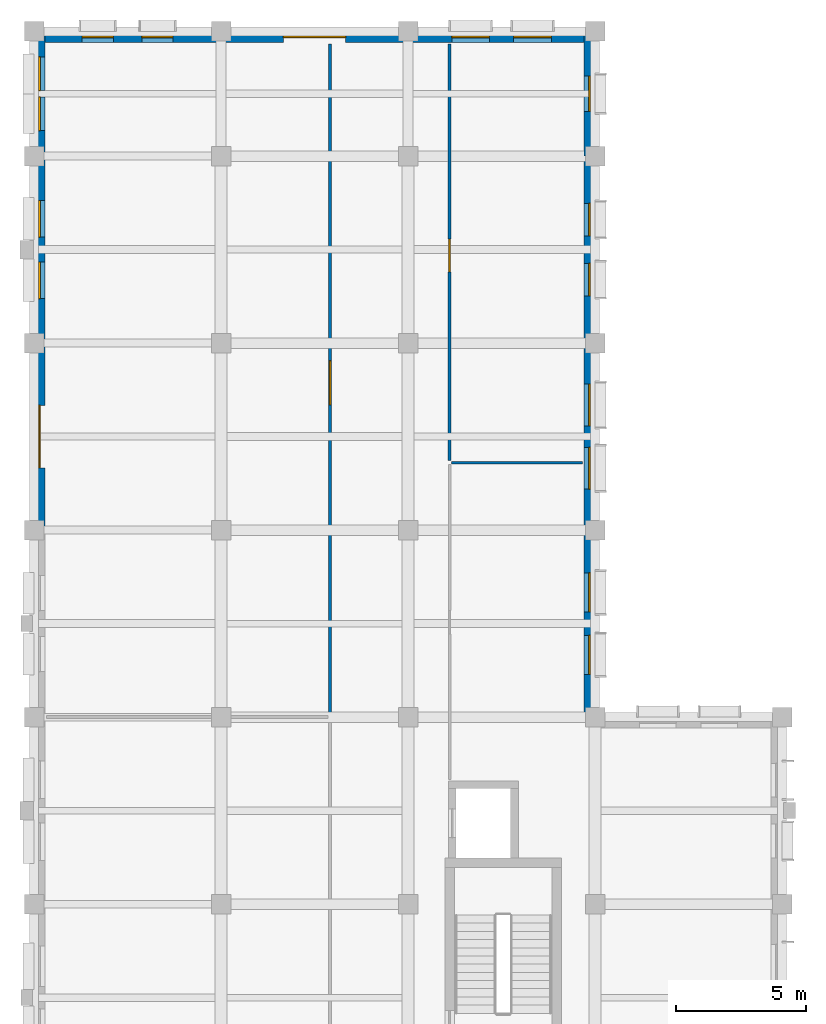
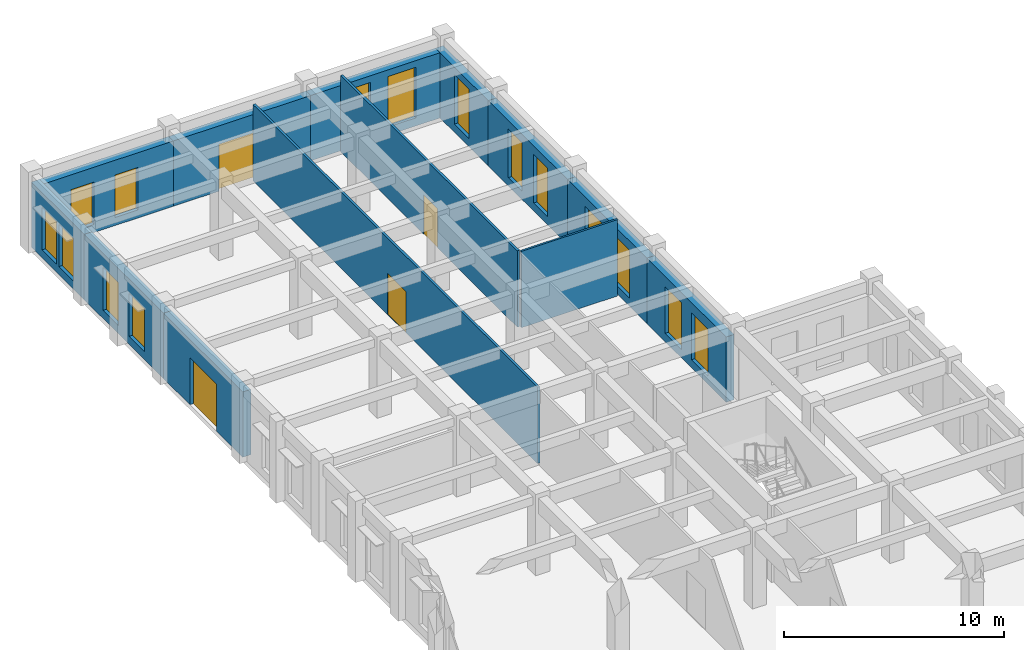
# One storey, part 29 of 43: 15 windows, 13 walls, 4 doors, 19 openings.
"""IFC4 building model written with IfcOpenShell, lengths in metres."""

from ifc_helpers import new_model, si_unit, direction, frame, frame_2d, origin, place, context, subcontext, project, spatial, rectangle, extrude, material, layer, layer_set, type_object, element, fill, save


model = new_model("IFC4")

# Units and contexts
model_context = context("Model", 3, precision=1e-05, world=origin(), true_north=direction((0.0, 1.0)))
body_context = subcontext(model_context, "Body", "Model", "MODEL_VIEW")
ifc_project = project(units=[si_unit("LENGTHUNIT", "METRE"), si_unit("AREAUNIT", "SQUARE_METRE"), si_unit("VOLUMEUNIT", "CUBIC_METRE"), si_unit("PLANEANGLEUNIT", "RADIAN"), si_unit("MASSUNIT", "GRAM", prefix="KILO")], contexts=[model_context])

# Site, building, storey
site_placement = place(None, origin())
site = spatial("IfcSite", under=ifc_project, at=site_placement, CompositionType="ELEMENT")
building_placement = place(site_placement, origin())
building = spatial("IfcBuilding", under=site, at=building_placement, Name="Alvorim Cloister Faculty of Sciences", CompositionType="ELEMENT")
storey_placement = place(building_placement, origin())
storey = spatial("IfcBuildingStorey", under=building, at=storey_placement, Name="L00", CompositionType="ELEMENT", Elevation=0.0)

# Wall, opening, door
ifc_material_1 = material(Name="Maua Grey Granite Stone", Category="masonry")
ifc_layer_1 = layer(ifc_material_1, 0.419921875)
ifc_layer_set_1 = layer_set([ifc_layer_1], Name="Maua Grey Granite Stone")
wall_type_1 = type_object("IfcWallType", Name="WL-EXT-GRN-420", PredefinedType="SOLIDWALL", material=ifc_layer_set_1)
wall_1_placement = place(storey_placement, frame((0.2099609375, 92.39990234375, 0.0), z_axis=(0.0, 0.0, 1.0), x_axis=(0.0, 1.0, 0.0)))
wall_1 = element("IfcWall", 1, at=wall_1_placement, inside=storey, type_object=wall_type_1, Name="L00 Exterior Wall WL-0041", PredefinedType="SOLIDWALL", context=body_context, shape_type="SweptSolid", body=[
    extrude(rectangle(XDim=7.2001953125, YDim=0.419921875, at=frame_2d((3.60009765625, 0.0))), origin(), (0.0, 0.0, 1.0), 3.6201171875),
])
opening_1_placement = place(wall_1_placement, frame((2.39990234375, 0.0, 0.0)))
opening_1 = element("IfcOpeningElement", 2, at=opening_1_placement, cuts=wall_1, Name="Opening ED-12", PredefinedType="OPENING", context=body_context, shape_type="SweptSolid", body=[
    extrude(rectangle(XDim=2.39990234375, YDim=2.60009765625, at=frame_2d((1.199951171875, 1.300048828125))), frame((0.0, 0.221923828125, 0.0), z_axis=(0.0, -1.0, 0.0), x_axis=(1.0, 0.0, 0.0)), (0.0, 0.0, 1.0), 0.44384765625),
])
ifc_material_2 = material(Name="Aluminium Alloy 6063-T6", Category="aluminium")
door_type_1 = type_object("IfcDoorType", Name="DR-EXIT-2400x2600", OperationType="NOTDEFINED", PredefinedType="DOOR", material=ifc_material_2)
door_1_placement = place(opening_1_placement, origin())
door_1 = element("IfcDoor", 3, at=door_1_placement, inside=storey, type_object=door_type_1, Name="Learning Commons North-West Exit ED-12", OperationType="DOUBLE_DOOR_SINGLE_SWING", OverallHeight=2.60009765625, OverallWidth=2.39990234375, PredefinedType="DOOR", context=body_context, shape_type="SweptSolid", body=[
    extrude(rectangle(XDim=2.39990234375, YDim=2.60009765625, at=frame_2d((1.199951171875, 1.300048828125))), frame((0.0, 0.02490234375, 0.0), z_axis=(0.0, -1.0, 0.0), x_axis=(1.0, 0.0, 0.0)), (0.0, 0.0, 1.0), 0.050048828125),
])
fill(opening_1, door_1)

# Wall, openings, windows
wall_2_placement = place(storey_placement, frame((0.2099609375, 99.60009765625, 0.0), z_axis=(0.0, 0.0, 1.0), x_axis=(0.0, 1.0, 0.0)))
wall_2 = element("IfcWall", 4, at=wall_2_placement, inside=storey, type_object=wall_type_1, Name="L00 Exterior Wall WL-0042", PredefinedType="SOLIDWALL", context=body_context, shape_type="SweptSolid", body=[
    extrude(rectangle(XDim=7.199951171875, YDim=0.419921875, at=frame_2d((3.60009765625, 0.0))), origin(), (0.0, 0.0, 1.0), 3.6201171875),
])
opening_2_placement = place(wall_2_placement, frame((1.716796875, 0.0, 0.449951171875)))
opening_2 = element("IfcOpeningElement", 5, at=opening_2_placement, cuts=wall_2, Name="Opening W-20", PredefinedType="OPENING", context=body_context, shape_type="SweptSolid", body=[
    extrude(rectangle(XDim=1.39990234375, YDim=2.3798828125, at=frame_2d((0.699951171875, 1.18994140625))), frame((0.0, 0.221923828125, 0.0), z_axis=(0.0, -1.0, 0.0), x_axis=(1.0, 0.0, 0.0)), (0.0, 0.0, 1.0), 0.44384765625),
])
opening_3_placement = place(wall_2_placement, frame((4.083251953125, 0.0, 0.449951171875)))
opening_3 = element("IfcOpeningElement", 6, at=opening_3_placement, cuts=wall_2, Name="Opening W-20", PredefinedType="OPENING", context=body_context, shape_type="SweptSolid", body=[
    extrude(rectangle(XDim=1.39990234375, YDim=2.3798828125, at=frame_2d((0.699951171875, 1.18994140625))), frame((0.0, 0.221923828125, 0.0), z_axis=(0.0, -1.0, 0.0), x_axis=(1.0, 0.0, 0.0)), (0.0, 0.0, 1.0), 0.44384765625),
])
ifc_material_3 = material(Name="Double Low-E Laminated Glass", Category="glass")
window_type_1 = type_object("IfcWindowType", Name="WN-OFF-1400x2380", PartitioningType="SINGLE_PANEL", PredefinedType="WINDOW", material=ifc_material_3)
window_1_placement = place(opening_2_placement, origin())
window_1 = element("IfcWindow", 7, at=window_1_placement, inside=storey, type_object=window_type_1, Name="L00 Gothic Lancet Window WN-0034", OverallHeight=2.3798828125, OverallWidth=1.39990234375, PartitioningType="SINGLE_PANEL", PredefinedType="WINDOW", context=body_context, shape_type="SweptSolid", body=[
    extrude(rectangle(XDim=1.39990234375, YDim=2.3798828125, at=frame_2d((0.699951171875, 1.18994140625))), frame((0.0, 0.030029296875, 0.0), z_axis=(0.0, -1.0, 0.0), x_axis=(1.0, 0.0, 0.0)), (0.0, 0.0, 1.0), 0.06005859375),
])
fill(opening_2, window_1)
window_2_placement = place(opening_3_placement, origin())
window_2 = element("IfcWindow", 8, at=window_2_placement, inside=storey, type_object=window_type_1, Name="L00 Gothic Lancet Window WN-0035", OverallHeight=2.3798828125, OverallWidth=1.39990234375, PartitioningType="SINGLE_PANEL", PredefinedType="WINDOW", context=body_context, shape_type="SweptSolid", body=[
    extrude(rectangle(XDim=1.39990234375, YDim=2.3798828125, at=frame_2d((0.699951171875, 1.18994140625))), frame((0.0, 0.030029296875, 0.0), z_axis=(0.0, -1.0, 0.0), x_axis=(1.0, 0.0, 0.0)), (0.0, 0.0, 1.0), 0.06005859375),
])
fill(opening_3, window_2)

wall_3_placement = place(storey_placement, frame((0.2099609375, 106.800048828125, 0.0), z_axis=(0.0, 0.0, 1.0), x_axis=(0.0, 1.0, 0.0)))
wall_3 = element("IfcWall", 9, at=wall_3_placement, inside=storey, type_object=wall_type_1, Name="L00 Exterior Wall WL-0043", PredefinedType="SOLIDWALL", context=body_context, shape_type="SweptSolid", body=[
    extrude(rectangle(XDim=4.800048828125, YDim=0.419921875, at=frame_2d((2.39990234375, 0.0))), origin(), (0.0, 0.0, 1.0), 3.6201171875),
])
opening_4_placement = place(wall_3_placement, frame((0.9833984375, 0.0, 0.449951171875)))
opening_4 = element("IfcOpeningElement", 10, at=opening_4_placement, cuts=wall_3, Name="Opening W-21", PredefinedType="OPENING", context=body_context, shape_type="SweptSolid", body=[
    extrude(rectangle(XDim=1.300048828125, YDim=2.35009765625, at=frame_2d((0.64990234375, 1.175048828125))), frame((0.0, 0.221923828125, 0.0), z_axis=(0.0, -1.0, 0.0), x_axis=(1.0, 0.0, 0.0)), (0.0, 0.0, 1.0), 0.44384765625),
])
opening_5_placement = place(wall_3_placement, frame((2.5166015625, 0.0, 0.449951171875)))
opening_5 = element("IfcOpeningElement", 11, at=opening_5_placement, cuts=wall_3, Name="Opening W-21", PredefinedType="OPENING", context=body_context, shape_type="SweptSolid", body=[
    extrude(rectangle(XDim=1.300048828125, YDim=2.35009765625, at=frame_2d((0.64990234375, 1.175048828125))), frame((0.0, 0.221923828125, 0.0), z_axis=(0.0, -1.0, 0.0), x_axis=(1.0, 0.0, 0.0)), (0.0, 0.0, 1.0), 0.44384765625),
])
window_type_2 = type_object("IfcWindowType", Name="WN-OFF-1300x2350", PartitioningType="SINGLE_PANEL", PredefinedType="WINDOW", material=ifc_material_3)
window_3_placement = place(opening_4_placement, origin())
window_3 = element("IfcWindow", 12, at=window_3_placement, inside=storey, type_object=window_type_2, Name="L00 Gothic Lancet Window WN-0036", OverallHeight=2.35009765625, OverallWidth=1.300048828125, PartitioningType="SINGLE_PANEL", PredefinedType="WINDOW", context=body_context, shape_type="SweptSolid", body=[
    extrude(rectangle(XDim=1.300048828125, YDim=2.35009765625, at=frame_2d((0.64990234375, 1.175048828125))), frame((0.0, 0.030029296875, 0.0), z_axis=(0.0, -1.0, 0.0), x_axis=(1.0, 0.0, 0.0)), (0.0, 0.0, 1.0), 0.06005859375),
])
fill(opening_4, window_3)
window_4_placement = place(opening_5_placement, origin())
window_4 = element("IfcWindow", 13, at=window_4_placement, inside=storey, type_object=window_type_2, Name="L00 Gothic Lancet Window WN-0037", OverallHeight=2.35009765625, OverallWidth=1.300048828125, PartitioningType="SINGLE_PANEL", PredefinedType="WINDOW", context=body_context, shape_type="SweptSolid", body=[
    extrude(rectangle(XDim=1.300048828125, YDim=2.35009765625, at=frame_2d((0.64990234375, 1.175048828125))), frame((0.0, 0.030029296875, 0.0), z_axis=(0.0, -1.0, 0.0), x_axis=(1.0, 0.0, 0.0)), (0.0, 0.0, 1.0), 0.06005859375),
])
fill(opening_5, window_4)

wall_4_placement = place(storey_placement, frame((0.0, 111.389892578125, 0.0), z_axis=(0.0, 0.0, 1.0), x_axis=(1.0, 0.0, 0.0)))
wall_4 = element("IfcWall", 14, at=wall_4_placement, inside=storey, type_object=wall_type_1, Name="L00 Exterior Wall WL-0044", PredefinedType="SOLIDWALL", context=body_context, shape_type="SweptSolid", body=[
    extrude(rectangle(XDim=7.199951171875, YDim=0.419921875, at=frame_2d((3.60009765625, 0.0))), origin(), (0.0, 0.0, 1.0), 3.6201171875),
])
opening_6_placement = place(wall_4_placement, frame((1.85009765625, 0.0, 0.449951171875)))
opening_6 = element("IfcOpeningElement", 15, at=opening_6_placement, cuts=wall_4, Name="Opening W-22", PredefinedType="OPENING", context=body_context, shape_type="SweptSolid", body=[
    extrude(rectangle(XDim=1.199951171875, YDim=2.35009765625, at=frame_2d((0.60009765625, 1.175048828125))), frame((0.0, 0.221923828125, 0.0), z_axis=(0.0, -1.0, 0.0), x_axis=(1.0, 0.0, 0.0)), (0.0, 0.0, 1.0), 0.44384765625),
])
opening_7_placement = place(wall_4_placement, frame((4.14990234375, 0.0, 0.449951171875)))
opening_7 = element("IfcOpeningElement", 16, at=opening_7_placement, cuts=wall_4, Name="Opening W-22", PredefinedType="OPENING", context=body_context, shape_type="SweptSolid", body=[
    extrude(rectangle(XDim=1.199951171875, YDim=2.35009765625, at=frame_2d((0.60009765625, 1.175048828125))), frame((0.0, 0.221923828125, 0.0), z_axis=(0.0, -1.0, 0.0), x_axis=(1.0, 0.0, 0.0)), (0.0, 0.0, 1.0), 0.44384765625),
])
window_type_3 = type_object("IfcWindowType", Name="WN-OFF-1200x2350", PartitioningType="SINGLE_PANEL", PredefinedType="WINDOW", material=ifc_material_3)
window_5_placement = place(opening_6_placement, origin())
window_5 = element("IfcWindow", 17, at=window_5_placement, inside=storey, type_object=window_type_3, Name="L00 Gothic Lancet Window WN-0038", OverallHeight=2.35009765625, OverallWidth=1.199951171875, PartitioningType="SINGLE_PANEL", PredefinedType="WINDOW", context=body_context, shape_type="SweptSolid", body=[
    extrude(rectangle(XDim=1.199951171875, YDim=2.35009765625, at=frame_2d((0.60009765625, 1.175048828125))), frame((0.0, 0.030029296875, 0.0), z_axis=(0.0, -1.0, 0.0), x_axis=(1.0, 0.0, 0.0)), (0.0, 0.0, 1.0), 0.06005859375),
])
fill(opening_6, window_5)
window_6_placement = place(opening_7_placement, origin())
window_6 = element("IfcWindow", 18, at=window_6_placement, inside=storey, type_object=window_type_3, Name="L00 Gothic Lancet Window WN-0039", OverallHeight=2.35009765625, OverallWidth=1.199951171875, PartitioningType="SINGLE_PANEL", PredefinedType="WINDOW", context=body_context, shape_type="SweptSolid", body=[
    extrude(rectangle(XDim=1.199951171875, YDim=2.35009765625, at=frame_2d((0.60009765625, 1.175048828125))), frame((0.0, 0.030029296875, 0.0), z_axis=(0.0, -1.0, 0.0), x_axis=(1.0, 0.0, 0.0)), (0.0, 0.0, 1.0), 0.06005859375),
])
fill(opening_7, window_6)

# Wall, opening, door
wall_5_placement = place(storey_placement, frame((7.199951171875, 111.389892578125, 0.0), z_axis=(0.0, 0.0, 1.0), x_axis=(1.0, 0.0, 0.0)))
wall_5 = element("IfcWall", 19, at=wall_5_placement, inside=storey, type_object=wall_type_1, Name="L00 Exterior Wall WL-0045", PredefinedType="SOLIDWALL", context=body_context, shape_type="SweptSolid", body=[
    extrude(rectangle(XDim=7.199951171875, YDim=0.419921875, at=frame_2d((3.60009765625, 0.0))), origin(), (0.0, 0.0, 1.0), 3.6201171875),
])
opening_8_placement = place(wall_5_placement, frame((2.39990234375, 0.0, 0.0)))
opening_8 = element("IfcOpeningElement", 20, at=opening_8_placement, cuts=wall_5, Name="Opening SG-05", PredefinedType="OPENING", context=body_context, shape_type="SweptSolid", body=[
    extrude(rectangle(XDim=2.39990234375, YDim=2.60009765625, at=frame_2d((1.199951171875, 1.300048828125))), frame((0.0, 0.221923828125, 0.0), z_axis=(0.0, -1.0, 0.0), x_axis=(1.0, 0.0, 0.0)), (0.0, 0.0, 1.0), 0.44384765625),
])
ifc_material_4 = material(Name="Galvanised Steel Sheet", Category="steel")
door_type_2 = type_object("IfcDoorType", Name="DR-GATE-2400x2600", OperationType="NOTDEFINED", PredefinedType="GATE", material=ifc_material_4)
door_2_placement = place(opening_8_placement, origin())
door_2 = element("IfcDoor", 21, at=door_2_placement, inside=storey, type_object=door_type_2, Name="North Botanical Court Gate SG-05", OperationType="DOUBLE_DOOR_SINGLE_SWING", OverallHeight=2.60009765625, OverallWidth=2.39990234375, PredefinedType="GATE", context=body_context, shape_type="SweptSolid", body=[
    extrude(rectangle(XDim=2.39990234375, YDim=2.60009765625, at=frame_2d((1.199951171875, 1.300048828125))), frame((0.0, 0.02490234375, 0.0), z_axis=(0.0, -1.0, 0.0), x_axis=(1.0, 0.0, 0.0)), (0.0, 0.0, 1.0), 0.050048828125),
])
fill(opening_8, door_2)

# Wall, openings, windows
wall_6_placement = place(storey_placement, frame((14.39990234375, 111.389892578125, 0.0), z_axis=(0.0, 0.0, 1.0), x_axis=(1.0, 0.0, 0.0)))
wall_6 = element("IfcWall", 22, at=wall_6_placement, inside=storey, type_object=wall_type_1, Name="L00 Exterior Wall WL-0046", PredefinedType="SOLIDWALL", context=body_context, shape_type="SweptSolid", body=[
    extrude(rectangle(XDim=7.2001953125, YDim=0.419921875, at=frame_2d((3.60009765625, 0.0))), origin(), (0.0, 0.0, 1.0), 3.6201171875),
])
opening_9_placement = place(wall_6_placement, frame((1.683349609375, 0.0, 0.449951171875)))
opening_9 = element("IfcOpeningElement", 23, at=opening_9_placement, cuts=wall_6, Name="Opening W-08", PredefinedType="OPENING", context=body_context, shape_type="SweptSolid", body=[
    extrude(rectangle(XDim=1.449951171875, YDim=2.800048828125, at=frame_2d((0.72509765625, 1.39990234375))), frame((0.0, 0.221923828125, 0.0), z_axis=(0.0, -1.0, 0.0), x_axis=(1.0, 0.0, 0.0)), (0.0, 0.0, 1.0), 0.44384765625),
])
opening_10_placement = place(wall_6_placement, frame((4.066650390625, 0.0, 0.449951171875)))
opening_10 = element("IfcOpeningElement", 24, at=opening_10_placement, cuts=wall_6, Name="Opening W-08", PredefinedType="OPENING", context=body_context, shape_type="SweptSolid", body=[
    extrude(rectangle(XDim=1.449951171875, YDim=2.800048828125, at=frame_2d((0.72509765625, 1.39990234375))), frame((0.0, 0.221923828125, 0.0), z_axis=(0.0, -1.0, 0.0), x_axis=(1.0, 0.0, 0.0)), (0.0, 0.0, 1.0), 0.44384765625),
])
window_type_4 = type_object("IfcWindowType", Name="WN-LAN-1450x2800", PartitioningType="SINGLE_PANEL", PredefinedType="WINDOW", material=ifc_material_3)
window_7_placement = place(opening_9_placement, origin())
window_7 = element("IfcWindow", 25, at=window_7_placement, inside=storey, type_object=window_type_4, Name="L00 Gothic Lancet Window WN-0040", OverallHeight=2.800048828125, OverallWidth=1.449951171875, PartitioningType="SINGLE_PANEL", PredefinedType="WINDOW", context=body_context, shape_type="SweptSolid", body=[
    extrude(rectangle(XDim=1.449951171875, YDim=2.800048828125, at=frame_2d((0.72509765625, 1.39990234375))), frame((0.0, 0.030029296875, 0.0), z_axis=(0.0, -1.0, 0.0), x_axis=(1.0, 0.0, 0.0)), (0.0, 0.0, 1.0), 0.06005859375),
])
fill(opening_9, window_7)
window_8_placement = place(opening_10_placement, origin())
window_8 = element("IfcWindow", 26, at=window_8_placement, inside=storey, type_object=window_type_4, Name="L00 Gothic Lancet Window WN-0041", OverallHeight=2.800048828125, OverallWidth=1.449951171875, PartitioningType="SINGLE_PANEL", PredefinedType="WINDOW", context=body_context, shape_type="SweptSolid", body=[
    extrude(rectangle(XDim=1.449951171875, YDim=2.800048828125, at=frame_2d((0.72509765625, 1.39990234375))), frame((0.0, 0.030029296875, 0.0), z_axis=(0.0, -1.0, 0.0), x_axis=(1.0, 0.0, 0.0)), (0.0, 0.0, 1.0), 0.06005859375),
])
fill(opening_10, window_8)

# Wall, opening, window
wall_7_placement = place(storey_placement, frame((21.389892578125, 106.800048828125, 0.0), z_axis=(0.0, 0.0, 1.0), x_axis=(0.0, 1.0, 0.0)))
wall_7 = element("IfcWall", 27, at=wall_7_placement, inside=storey, type_object=wall_type_1, Name="L00 Exterior Wall WL-0047", PredefinedType="SOLIDWALL", context=body_context, shape_type="SweptSolid", body=[
    extrude(rectangle(XDim=4.800048828125, YDim=0.419921875, at=frame_2d((2.39990234375, 0.0))), origin(), (0.0, 0.0, 1.0), 3.6201171875),
])
opening_11_placement = place(wall_7_placement, frame((1.72509765625, 0.0, 0.449951171875)))
opening_11 = element("IfcOpeningElement", 28, at=opening_11_placement, cuts=wall_7, Name="Opening W-09", PredefinedType="OPENING", context=body_context, shape_type="SweptSolid", body=[
    extrude(rectangle(XDim=1.35009765625, YDim=2.75, at=frame_2d((0.675048828125, 1.375))), frame((0.0, 0.221923828125, 0.0), z_axis=(0.0, -1.0, 0.0), x_axis=(1.0, 0.0, 0.0)), (0.0, 0.0, 1.0), 0.44384765625),
])
window_type_5 = type_object("IfcWindowType", Name="WN-LAN-1350x2750", PartitioningType="SINGLE_PANEL", PredefinedType="WINDOW", material=ifc_material_3)
window_9_placement = place(opening_11_placement, origin())
window_9 = element("IfcWindow", 29, at=window_9_placement, inside=storey, type_object=window_type_5, Name="L00 Gothic Lancet Window WN-0042", OverallHeight=2.75, OverallWidth=1.35009765625, PartitioningType="SINGLE_PANEL", PredefinedType="WINDOW", context=body_context, shape_type="SweptSolid", body=[
    extrude(rectangle(XDim=1.35009765625, YDim=2.75, at=frame_2d((0.675048828125, 1.375))), frame((0.0, 0.030029296875, 0.0), z_axis=(0.0, -1.0, 0.0), x_axis=(1.0, 0.0, 0.0)), (0.0, 0.0, 1.0), 0.06005859375),
])
fill(opening_11, window_9)

# Wall, openings, windows
wall_8_placement = place(storey_placement, frame((21.389892578125, 99.60009765625, 0.0), z_axis=(0.0, 0.0, 1.0), x_axis=(0.0, 1.0, 0.0)))
wall_8 = element("IfcWall", 30, at=wall_8_placement, inside=storey, type_object=wall_type_1, Name="L00 Exterior Wall WL-0048", PredefinedType="SOLIDWALL", context=body_context, shape_type="SweptSolid", body=[
    extrude(rectangle(XDim=7.199951171875, YDim=0.419921875, at=frame_2d((3.60009765625, 0.0))), origin(), (0.0, 0.0, 1.0), 3.6201171875),
])
opening_12_placement = place(wall_8_placement, frame((1.816650390625, 0.0, 0.449951171875)))
opening_12 = element("IfcOpeningElement", 31, at=opening_12_placement, cuts=wall_8, Name="Opening W-10", PredefinedType="OPENING", context=body_context, shape_type="SweptSolid", body=[
    extrude(rectangle(XDim=1.25, YDim=2.699951171875, at=frame_2d((0.625, 1.35009765625))), frame((0.0, 0.221923828125, 0.0), z_axis=(0.0, -1.0, 0.0), x_axis=(1.0, 0.0, 0.0)), (0.0, 0.0, 1.0), 0.44384765625),
])
opening_13_placement = place(wall_8_placement, frame((4.13330078125, 0.0, 0.449951171875)))
opening_13 = element("IfcOpeningElement", 32, at=opening_13_placement, cuts=wall_8, Name="Opening W-10", PredefinedType="OPENING", context=body_context, shape_type="SweptSolid", body=[
    extrude(rectangle(XDim=1.25, YDim=2.699951171875, at=frame_2d((0.625, 1.35009765625))), frame((0.0, 0.221923828125, 0.0), z_axis=(0.0, -1.0, 0.0), x_axis=(1.0, 0.0, 0.0)), (0.0, 0.0, 1.0), 0.44384765625),
])
window_type_6 = type_object("IfcWindowType", Name="WN-LAN-1250x2700", PartitioningType="SINGLE_PANEL", PredefinedType="WINDOW", material=ifc_material_3)
window_10_placement = place(opening_12_placement, origin())
window_10 = element("IfcWindow", 33, at=window_10_placement, inside=storey, type_object=window_type_6, Name="L00 Gothic Lancet Window WN-0043", OverallHeight=2.699951171875, OverallWidth=1.25, PartitioningType="SINGLE_PANEL", PredefinedType="WINDOW", context=body_context, shape_type="SweptSolid", body=[
    extrude(rectangle(XDim=1.25, YDim=2.699951171875, at=frame_2d((0.625, 1.35009765625))), frame((0.0, 0.030029296875, 0.0), z_axis=(0.0, -1.0, 0.0), x_axis=(1.0, 0.0, 0.0)), (0.0, 0.0, 1.0), 0.06005859375),
])
fill(opening_12, window_10)
window_11_placement = place(opening_13_placement, origin())
window_11 = element("IfcWindow", 34, at=window_11_placement, inside=storey, type_object=window_type_6, Name="L00 Gothic Lancet Window WN-0044", OverallHeight=2.699951171875, OverallWidth=1.25, PartitioningType="SINGLE_PANEL", PredefinedType="WINDOW", context=body_context, shape_type="SweptSolid", body=[
    extrude(rectangle(XDim=1.25, YDim=2.699951171875, at=frame_2d((0.625, 1.35009765625))), frame((0.0, 0.030029296875, 0.0), z_axis=(0.0, -1.0, 0.0), x_axis=(1.0, 0.0, 0.0)), (0.0, 0.0, 1.0), 0.06005859375),
])
fill(opening_13, window_11)

wall_9_placement = place(storey_placement, frame((21.389892578125, 92.39990234375, 0.0), z_axis=(0.0, 0.0, 1.0), x_axis=(0.0, 1.0, 0.0)))
wall_9 = element("IfcWall", 35, at=wall_9_placement, inside=storey, type_object=wall_type_1, Name="L00 Exterior Wall WL-0049", PredefinedType="SOLIDWALL", context=body_context, shape_type="SweptSolid", body=[
    extrude(rectangle(XDim=7.2001953125, YDim=0.419921875, at=frame_2d((3.60009765625, 0.0))), origin(), (0.0, 0.0, 1.0), 3.6201171875),
])
opening_14_placement = place(wall_9_placement, frame((1.583251953125, 0.0, 0.449951171875)))
opening_14 = element("IfcOpeningElement", 36, at=opening_14_placement, cuts=wall_9, Name="Opening W-11", PredefinedType="OPENING", context=body_context, shape_type="SweptSolid", body=[
    extrude(rectangle(XDim=1.60009765625, YDim=2.64990234375, at=frame_2d((0.800048828125, 1.324951171875))), frame((0.0, 0.221923828125, 0.0), z_axis=(0.0, -1.0, 0.0), x_axis=(1.0, 0.0, 0.0)), (0.0, 0.0, 1.0), 0.44384765625),
])
opening_15_placement = place(wall_9_placement, frame((4.0166015625, 0.0, 0.449951171875)))
opening_15 = element("IfcOpeningElement", 37, at=opening_15_placement, cuts=wall_9, Name="Opening W-11", PredefinedType="OPENING", context=body_context, shape_type="SweptSolid", body=[
    extrude(rectangle(XDim=1.60009765625, YDim=2.64990234375, at=frame_2d((0.800048828125, 1.324951171875))), frame((0.0, 0.221923828125, 0.0), z_axis=(0.0, -1.0, 0.0), x_axis=(1.0, 0.0, 0.0)), (0.0, 0.0, 1.0), 0.44384765625),
])
window_type_7 = type_object("IfcWindowType", Name="WN-LIB-1600x2650", PartitioningType="SINGLE_PANEL", PredefinedType="WINDOW", material=ifc_material_3)
window_12_placement = place(opening_14_placement, origin())
window_12 = element("IfcWindow", 38, at=window_12_placement, inside=storey, type_object=window_type_7, Name="L00 Gothic Lancet Window WN-0045", OverallHeight=2.64990234375, OverallWidth=1.60009765625, PartitioningType="SINGLE_PANEL", PredefinedType="WINDOW", context=body_context, shape_type="SweptSolid", body=[
    extrude(rectangle(XDim=1.60009765625, YDim=2.64990234375, at=frame_2d((0.800048828125, 1.324951171875))), frame((0.0, 0.030029296875, 0.0), z_axis=(0.0, -1.0, 0.0), x_axis=(1.0, 0.0, 0.0)), (0.0, 0.0, 1.0), 0.06005859375),
])
fill(opening_14, window_12)
window_13_placement = place(opening_15_placement, origin())
window_13 = element("IfcWindow", 39, at=window_13_placement, inside=storey, type_object=window_type_7, Name="L00 Gothic Lancet Window WN-0046", OverallHeight=2.64990234375, OverallWidth=1.60009765625, PartitioningType="SINGLE_PANEL", PredefinedType="WINDOW", context=body_context, shape_type="SweptSolid", body=[
    extrude(rectangle(XDim=1.60009765625, YDim=2.64990234375, at=frame_2d((0.800048828125, 1.324951171875))), frame((0.0, 0.030029296875, 0.0), z_axis=(0.0, -1.0, 0.0), x_axis=(1.0, 0.0, 0.0)), (0.0, 0.0, 1.0), 0.06005859375),
])
fill(opening_15, window_13)

wall_10_placement = place(storey_placement, frame((21.389892578125, 85.199951171875, 0.0), z_axis=(0.0, 0.0, 1.0), x_axis=(0.0, 1.0, 0.0)))
wall_10 = element("IfcWall", 40, at=wall_10_placement, inside=storey, type_object=wall_type_1, Name="L00 Exterior Wall WL-0050", PredefinedType="SOLIDWALL", context=body_context, shape_type="SweptSolid", body=[
    extrude(rectangle(XDim=7.199951171875, YDim=0.419921875, at=frame_2d((3.60009765625, 0.0))), origin(), (0.0, 0.0, 1.0), 3.6201171875),
])
opening_16_placement = place(wall_10_placement, frame((1.64990234375, 0.0, 0.449951171875)))
opening_16 = element("IfcOpeningElement", 41, at=opening_16_placement, cuts=wall_10, Name="Opening W-12", PredefinedType="OPENING", context=body_context, shape_type="SweptSolid", body=[
    extrude(rectangle(XDim=1.5, YDim=2.60009765625, at=frame_2d((0.75, 1.300048828125))), frame((0.0, 0.221923828125, 0.0), z_axis=(0.0, -1.0, 0.0), x_axis=(1.0, 0.0, 0.0)), (0.0, 0.0, 1.0), 0.44384765625),
])
opening_17_placement = place(wall_10_placement, frame((4.050048828125, 0.0, 0.449951171875)))
opening_17 = element("IfcOpeningElement", 42, at=opening_17_placement, cuts=wall_10, Name="Opening W-12", PredefinedType="OPENING", context=body_context, shape_type="SweptSolid", body=[
    extrude(rectangle(XDim=1.5, YDim=2.60009765625, at=frame_2d((0.75, 1.300048828125))), frame((0.0, 0.221923828125, 0.0), z_axis=(0.0, -1.0, 0.0), x_axis=(1.0, 0.0, 0.0)), (0.0, 0.0, 1.0), 0.44384765625),
])
window_type_8 = type_object("IfcWindowType", Name="WN-LIB-1500x2600", PartitioningType="SINGLE_PANEL", PredefinedType="WINDOW", material=ifc_material_3)
window_14_placement = place(opening_16_placement, origin())
window_14 = element("IfcWindow", 43, at=window_14_placement, inside=storey, type_object=window_type_8, Name="L00 Gothic Lancet Window WN-0047", OverallHeight=2.60009765625, OverallWidth=1.5, PartitioningType="SINGLE_PANEL", PredefinedType="WINDOW", context=body_context, shape_type="SweptSolid", body=[
    extrude(rectangle(XDim=1.5, YDim=2.60009765625, at=frame_2d((0.75, 1.300048828125))), frame((0.0, 0.030029296875, 0.0), z_axis=(0.0, -1.0, 0.0), x_axis=(1.0, 0.0, 0.0)), (0.0, 0.0, 1.0), 0.06005859375),
])
fill(opening_16, window_14)
window_15_placement = place(opening_17_placement, origin())
window_15 = element("IfcWindow", 44, at=window_15_placement, inside=storey, type_object=window_type_8, Name="L00 Gothic Lancet Window WN-0048", OverallHeight=2.60009765625, OverallWidth=1.5, PartitioningType="SINGLE_PANEL", PredefinedType="WINDOW", context=body_context, shape_type="SweptSolid", body=[
    extrude(rectangle(XDim=1.5, YDim=2.60009765625, at=frame_2d((0.75, 1.300048828125))), frame((0.0, 0.030029296875, 0.0), z_axis=(0.0, -1.0, 0.0), x_axis=(1.0, 0.0, 0.0)), (0.0, 0.0, 1.0), 0.06005859375),
])
fill(opening_17, window_15)

# Wall
ifc_material_5 = material(Name="Moisture-Resistant Tile Stud Partition", Category="gypsum")
ifc_layer_2 = layer(ifc_material_5, 0.10009765625)
ifc_layer_set_2 = layer_set([ifc_layer_2], Name="Moisture-Resistant Tile Stud Partition")
wall_type_2 = type_object("IfcWallType", Name="WL-PRT-100", PredefinedType="PARTITIONING", material=ifc_layer_set_2)
wall_11_placement = place(storey_placement, frame((16.080078125, 95.0, 0.0), z_axis=(0.0, 0.0, 1.0), x_axis=(1.0, 0.0, 0.0)))
element("IfcWall", 45, at=wall_11_placement, inside=storey, type_object=wall_type_2, Name="L00 Commons Accessible WCs and Copy Suite Partition IWL-0484", PredefinedType="PARTITIONING", context=body_context, shape_type="SweptSolid", body=[
    extrude(rectangle(XDim=5.0400390625, YDim=0.10009765625, at=frame_2d((2.52001953125, 0.0))), origin(), (0.0, 0.0, 1.0), 4.235107421875),
])

# Wall, opening, door
ifc_material_6 = material(Name="Acoustic Gypsum Stud Partition", Category="gypsum")
ifc_layer_3 = layer(ifc_material_6, 0.1201171875)
ifc_layer_set_3 = layer_set([ifc_layer_3], Name="Acoustic Gypsum Stud Partition")
wall_type_3 = type_object("IfcWallType", Name="WL-PRT-120", PredefinedType="PARTITIONING", material=ifc_layer_set_3)
wall_12_placement = place(storey_placement, frame((11.39990234375, 85.280029296875, 0.0), z_axis=(0.0, 0.0, 1.0), x_axis=(0.0, 1.0, 0.0)))
wall_12 = element("IfcWall", 46, at=wall_12_placement, inside=storey, type_object=wall_type_3, Name="L00 Open Collaborative Study Terrace Hall Partition IWL-0480", PredefinedType="PARTITIONING", context=body_context, shape_type="SweptSolid", body=[
    extrude(rectangle(XDim=25.840087890625, YDim=0.1201171875, at=frame_2d((12.919921875, 0.0))), origin(), (0.0, 0.0, 1.0), 4.235107421875),
])
opening_18_placement = place(wall_12_placement, frame((11.93994140625, 0.0, 0.0)))
opening_18 = element("IfcOpeningElement", 47, at=opening_18_placement, cuts=wall_12, Name="Opening D-L00-092", PredefinedType="OPENING", context=body_context, shape_type="SweptSolid", body=[
    extrude(rectangle(XDim=1.699951171875, YDim=2.280029296875, at=frame_2d((0.85009765625, 1.14013671875))), frame((0.0, 0.072021484375, 0.0), z_axis=(0.0, -1.0, 0.0), x_axis=(1.0, 0.0, 0.0)), (0.0, 0.0, 1.0), 0.14404296875),
])
ifc_material_7 = material(Name="Solid Acoustic Oak Timber", Category="wood")
door_type_3 = type_object("IfcDoorType", Name="DR-HALL-1700x2280", OperationType="NOTDEFINED", PredefinedType="DOOR", material=ifc_material_7)
door_3_placement = place(opening_18_placement, origin())
door_3 = element("IfcDoor", 48, at=door_3_placement, inside=storey, type_object=door_type_3, Name="Open Collaborative Study Terrace Hall Door D-L00-092", OperationType="DOUBLE_DOOR_SINGLE_SWING", OverallHeight=2.280029296875, OverallWidth=1.699951171875, PredefinedType="DOOR", context=body_context, shape_type="SweptSolid", body=[
    extrude(rectangle(XDim=1.699951171875, YDim=2.280029296875, at=frame_2d((0.85009765625, 1.14013671875))), frame((0.0, 0.02490234375, 0.0), z_axis=(0.0, -1.0, 0.0), x_axis=(1.0, 0.0, 0.0)), (0.0, 0.0, 1.0), 0.050048828125),
])
fill(opening_18, door_3)

wall_13_placement = place(storey_placement, frame((16.0, 95.080078125, 0.0), z_axis=(0.0, 0.0, 1.0), x_axis=(0.0, 1.0, 0.0)))
wall_13 = element("IfcWall", 49, at=wall_13_placement, inside=storey, type_object=wall_type_3, Name="L00 Commons Seminar Room 01 Partition IWL-0485", PredefinedType="PARTITIONING", context=body_context, shape_type="SweptSolid", body=[
    extrude(rectangle(XDim=16.0400390625, YDim=0.1201171875, at=frame_2d((8.02001953125, 0.0))), origin(), (0.0, 0.0, 1.0), 4.235107421875),
])
opening_19_placement = place(wall_13_placement, frame((7.260009765625, 0.0, 0.0)))
opening_19 = element("IfcOpeningElement", 50, at=opening_19_placement, cuts=wall_13, Name="Opening D-L00-095", PredefinedType="OPENING", context=body_context, shape_type="SweptSolid", body=[
    extrude(rectangle(XDim=1.260009765625, YDim=2.179931640625, at=frame_2d((0.6298828125, 1.08984375))), frame((0.0, 0.072021484375, 0.0), z_axis=(0.0, -1.0, 0.0), x_axis=(1.0, 0.0, 0.0)), (0.0, 0.0, 1.0), 0.14404296875),
])
door_type_4 = type_object("IfcDoorType", Name="DR-SEM-1260x2180", OperationType="NOTDEFINED", PredefinedType="DOOR", material=ifc_material_7)
door_4_placement = place(opening_19_placement, origin())
door_4 = element("IfcDoor", 51, at=door_4_placement, inside=storey, type_object=door_type_4, Name="Commons Seminar Room 01 Door D-L00-095", OperationType="SINGLE_SWING_RIGHT", OverallHeight=2.179931640625, OverallWidth=1.260009765625, PredefinedType="DOOR", context=body_context, shape_type="SweptSolid", body=[
    extrude(rectangle(XDim=1.260009765625, YDim=2.179931640625, at=frame_2d((0.6298828125, 1.08984375))), frame((0.0, 0.02490234375, 0.0), z_axis=(0.0, -1.0, 0.0), x_axis=(1.0, 0.0, 0.0)), (0.0, 0.0, 1.0), 0.050048828125),
])
fill(opening_19, door_4)

save(model, "model.ifc")
